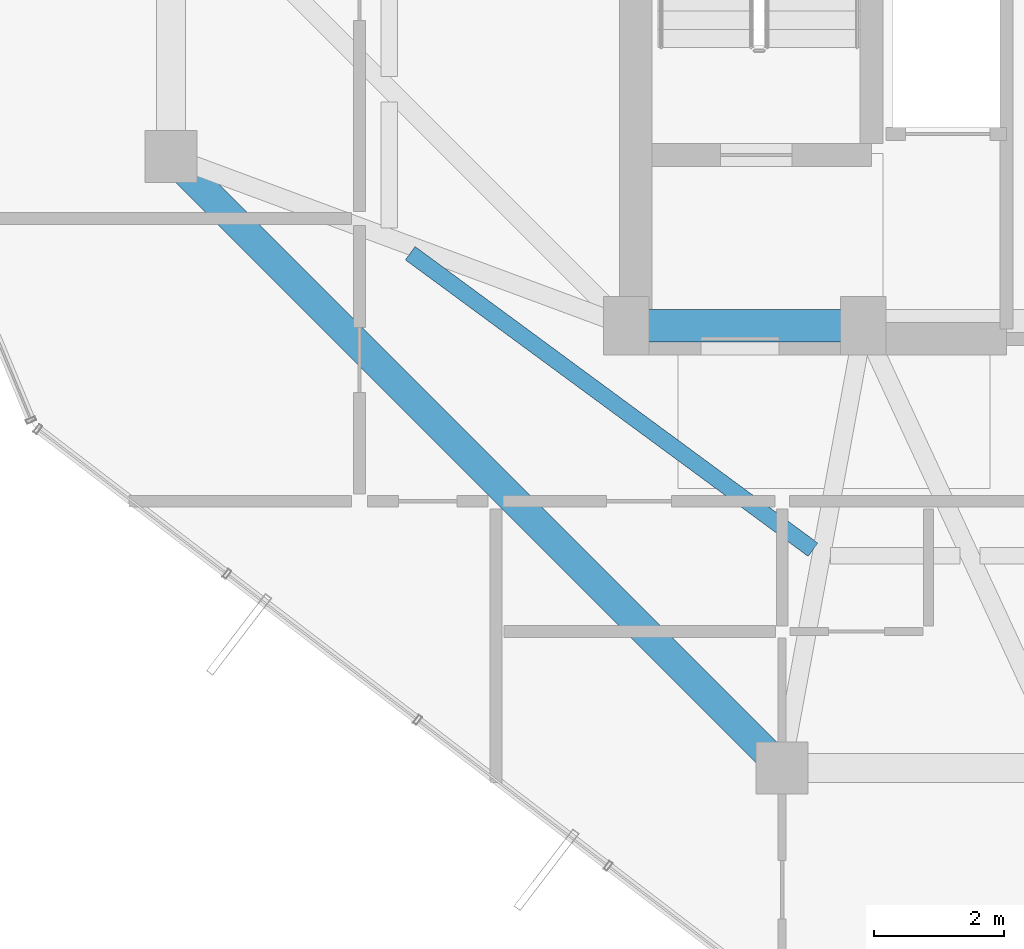
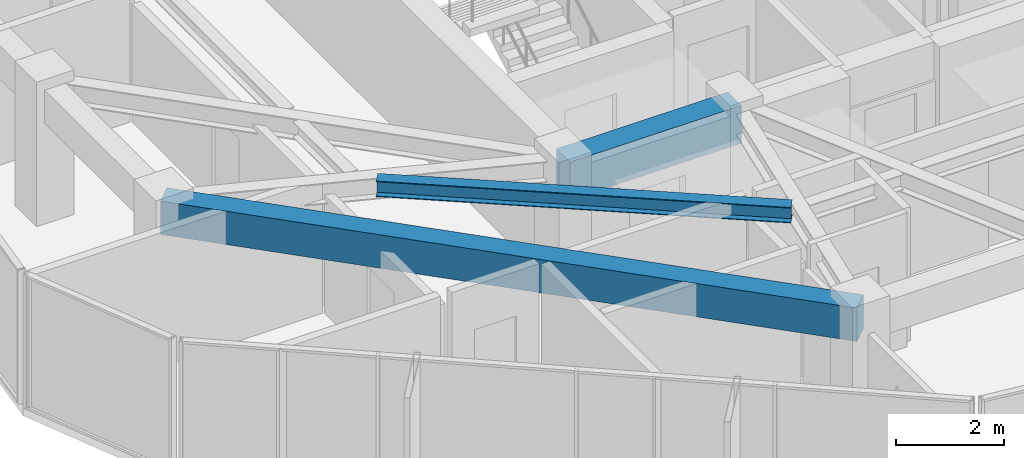
# One storey, part 7 of 31: 3 beams.
"""IFC4 building model written with IfcOpenShell, lengths in metres."""

from ifc_helpers import new_model, si_unit, direction, frame, origin, origin_2d, place, context, subcontext, project, spatial, rectangle, i_section, extrude, material, material_profile, profile_set, type_object, element, save


model = new_model("IFC4")

# Units and contexts
model_context = context("Model", 3, precision=1e-05, world=origin(), true_north=direction((0.0, 1.0)))
body_context = subcontext(model_context, "Body", "Model", "MODEL_VIEW")
ifc_project = project(units=[si_unit("LENGTHUNIT", "METRE"), si_unit("AREAUNIT", "SQUARE_METRE"), si_unit("VOLUMEUNIT", "CUBIC_METRE"), si_unit("PLANEANGLEUNIT", "RADIAN"), si_unit("MASSUNIT", "GRAM", prefix="KILO")], contexts=[model_context])

# Site, building, storey
site_placement = place(None, origin())
site = spatial("IfcSite", under=ifc_project, at=site_placement, CompositionType="ELEMENT")
building_placement = place(site_placement, origin())
building = spatial("IfcBuilding", under=site, at=building_placement, Name="Veraguas Prism Commons", CompositionType="ELEMENT")
storey_placement = place(building_placement, frame((0.0, 0.0, 233.300048828125)))
storey = spatial("IfcBuildingStorey", under=building, at=storey_placement, Name="L66", CompositionType="ELEMENT", Elevation=233.300048828125)

# Beams
ifc_material_1 = material(Name="Concrete C50/60", Category="concrete")
ifc_material_profile_1 = material_profile(ifc_material_1, rectangle(XDim=0.5, YDim=0.85009765625, at=origin_2d()), Name="RC500X850")
ifc_profile_set_1 = profile_set([ifc_material_profile_1], Name="Concrete C50/60")
beam_type_1 = type_object("IfcBeamType", Name="Core Coupling Beam RC 500x850", PredefinedType="BEAM", material=ifc_profile_set_1)
beam_1_placement = place(storey_placement, frame((17.199951171875, 17.0, 2.58984375), z_axis=(1.0, 0.0, 0.0), x_axis=(0.0, 1.0, 0.0)))
element("IfcBeam", 1, at=beam_1_placement, inside=storey, type_object=beam_type_1, Name="Core Coupling Beam L66-CRS1", PredefinedType="BEAM", context=body_context, shape_type="SweptSolid", body=[
    extrude(rectangle(XDim=0.5, YDim=0.85009765625, at=origin_2d()), origin(), (0.0, 0.0, 1.0), 3.650146484375),
])
ifc_material_profile_2 = material_profile(ifc_material_1, rectangle(XDim=0.449951171875, YDim=0.75, at=origin_2d()), Name="RC450X750")
ifc_profile_set_2 = profile_set([ifc_material_profile_2], Name="Concrete C50/60")
beam_type_2 = type_object("IfcBeamType", Name="Perimeter Spandrel Upper RC 450x750", PredefinedType="SPANDREL", material=ifc_profile_set_2)
beam_2_placement = place(storey_placement, frame((10.199951171875, 19.60009765625, 2.639892578125), z_axis=(0.707106781187, -0.707106781187, 0.0), x_axis=(0.707106781187, 0.707106781187, 0.0)))
element("IfcBeam", 2, at=beam_2_placement, inside=storey, type_object=beam_type_2, Name="Perimeter Spandrel Beam L66-SP09", PredefinedType="SPANDREL", context=body_context, shape_type="SweptSolid", body=[
    extrude(rectangle(XDim=0.449951171875, YDim=0.75, at=origin_2d()), origin(), (0.0, 0.0, 1.0), 13.293701171875),
])
ifc_material_2 = material(Name="Steel ASTM A992 Grade 50", Category="steel")
ifc_material_profile_3 = material_profile(ifc_material_2, i_section(OverallWidth=0.25390625, OverallDepth=0.35302734375, WebThickness=0.009521484375, FlangeThickness=0.016357421875, at=origin_2d()), Name="W360X91")
ifc_profile_set_3 = profile_set([ifc_material_profile_3], Name="Steel ASTM A992 Grade 50")
beam_type_3 = type_object("IfcBeamType", Name="Upper Floor Joist W360x91", PredefinedType="JOIST", material=ifc_profile_set_3)
beam_3_placement = place(storey_placement, frame((13.881103515625, 18.11572265625, 2.83837890625), z_axis=(0.805319835229, -0.592840588174, 0.0), x_axis=(0.592840588174, 0.805319835229, 0.0)))
element("IfcBeam", 3, at=beam_3_placement, inside=storey, type_object=beam_type_3, Name="Composite Floor Joist L66-JS09", PredefinedType="JOIST", context=body_context, shape_type="SweptSolid", body=[
    extrude(i_section(OverallWidth=0.25390625, OverallDepth=0.35302734375, WebThickness=0.009521484375, FlangeThickness=0.016357421875, at=origin_2d()), origin(), (0.0, 0.0, 1.0), 7.69140625),
])

save(model, "model.ifc")
